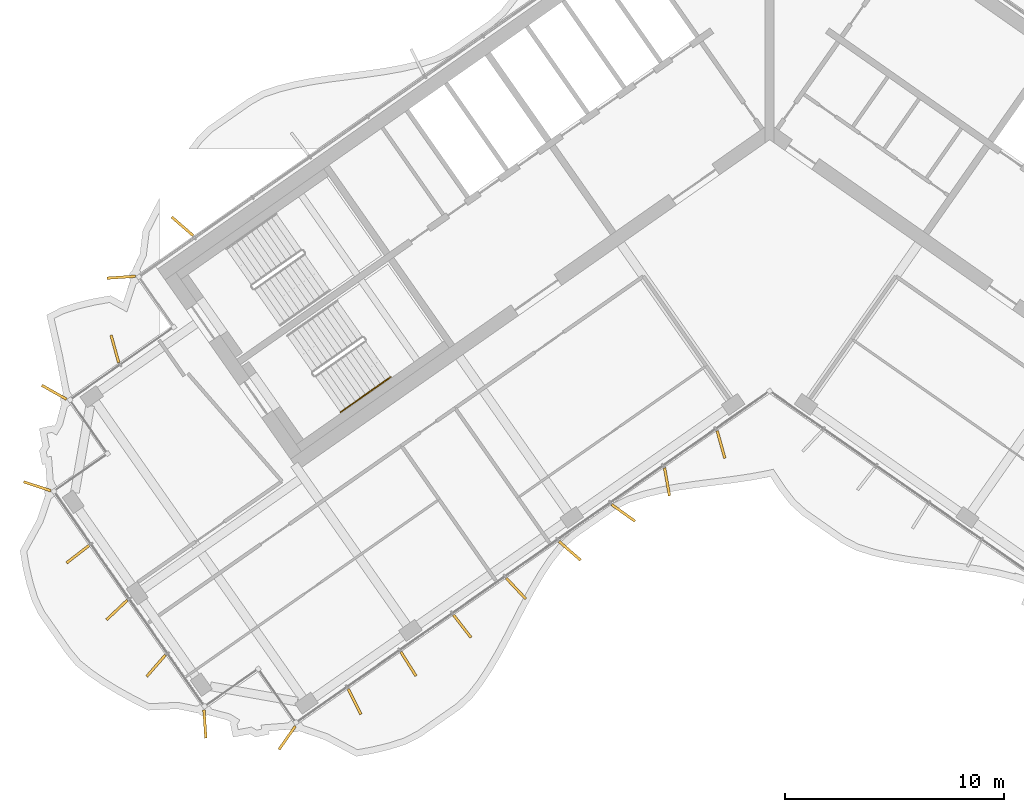
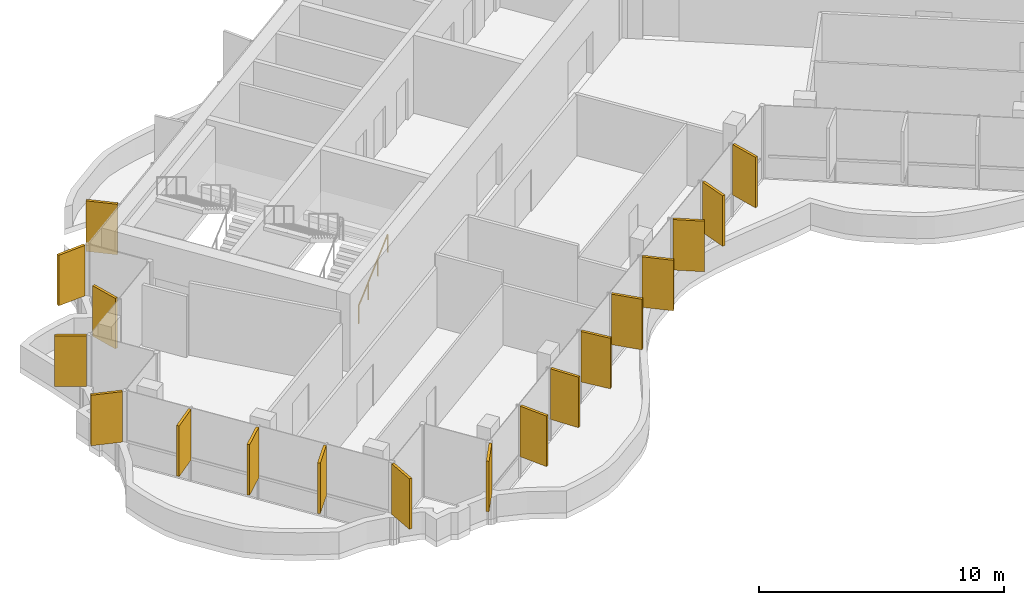
# One storey, part 15 of 20: 18 shading devices, 1 railing.
"""IFC4 building model written with IfcOpenShell, lengths in metres."""

from ifc_helpers import new_model, si_unit, direction, frame, origin, origin_2d, place, context, subcontext, project, spatial, rectangle, circle, extrude, material, layer, layer_set, type_object, element, save


model = new_model("IFC4")

# Units and contexts
model_context = context("Model", 3, precision=1e-05, world=origin(), true_north=direction((0.0, 1.0)))
body_context = subcontext(model_context, "Body", "Model", "MODEL_VIEW")
ifc_project = project(units=[si_unit("LENGTHUNIT", "METRE"), si_unit("AREAUNIT", "SQUARE_METRE"), si_unit("VOLUMEUNIT", "CUBIC_METRE"), si_unit("PLANEANGLEUNIT", "RADIAN"), si_unit("MASSUNIT", "GRAM", prefix="KILO")], contexts=[model_context])

# Site, building, storey
site_placement = place(None, origin())
site = spatial("IfcSite", under=ifc_project, at=site_placement, CompositionType="ELEMENT")
building_placement = place(site_placement, origin())
building = spatial("IfcBuilding", under=site, at=building_placement, Name="Tel Ilan Convention Tower", CompositionType="ELEMENT")
storey_placement = place(building_placement, frame((0.0, 0.0, 248.800048828125)))
storey = spatial("IfcBuildingStorey", under=building, at=storey_placement, Name="L58", CompositionType="ELEMENT", Elevation=248.800048828125)

# Shading devices
ifc_material_1 = material(Name="Aluminium, bronze anodised", Category="aluminium")
ifc_layer = layer(ifc_material_1, 0.1201171875)
ifc_layer_set = layer_set([ifc_layer], Name="FIN BRONZE 1300x120")
shading_device_type = type_object("IfcShadingDeviceType", Name="FIN BRONZE 1300x120", PredefinedType="USERDEFINED", material=ifc_layer_set)
for number, where, z_axis, x_axis, name in (
    (1, (-26.823974609375, -5.177001953125, 1.099853515625), (0.0, 0.0, 1.0), (-0.753435896329, 0.657521368568, 0.0), "FIN"),
    (2, (-29.62109375, -7.500732421875, 1.099853515625), (0.0, 0.0, 1.0), (-0.997697449973, -0.067821812994, 0.0), "FIN"),
    (3, (-29.913818359375, -10.77392578125, 1.099853515625), (0.0, 0.0, 1.0), (-0.268172612768, 0.963370878614, 0.0), "FIN"),
    (4, (-32.689208984375, -12.756591796875, 1.099853515625), (0.0, 0.0, 1.0), (-0.870832754082, 0.491579408049, 0.0), "FIN"),
    (5, (-33.465576171875, -17.0517578125, 1.099853515625), (0.0, 0.0, 1.0), (-0.949242643575, 0.314544756146, 0.0), "FIN"),
    (6, (-31.60693359375, -20.155517578125, 1.099853515625), (0.0, 0.0, 1.0), (-0.790392669516, -0.612600545196, 0.0), "FIN"),
    (7, (-29.8212890625, -22.705078125, 1.099853515625), (0.0, 0.0, 1.0), (-0.727373641577, -0.686241637865, 0.0), "FIN"),
    (8, (-28.03125, -25.25048828125, 1.099853515625), (0.0, 0.0, 1.0), (-0.657521368568, -0.753435896329, 0.0), "FIN"),
    (9, (-25.80126953125, -27.913330078125, 1.099853515625), (0.0, 0.0, 1.0), (0.067821812994, -0.997697449973, 0.0), "FIN"),
    (10, (-22.0419921875, -28.544921875, 1.099853515625), (0.0, 0.0, 1.0), (-0.573576436351, -0.819152044289, 0.0), "FIN"),
    (11, (-18.961181640625, -26.89013671875, 1.099853515625), (0.0, 0.0, 1.0), (0.448799180206, -0.893632640321, 0.0), "FIN"),
    (12, (-16.50244140625, -25.168701171875, 1.099853515625), (0.0, 0.0, 1.0), (0.533204432798, -0.845986425922, 0.0), "FIN"),
    (13, (-14.043701171875, -23.447021484375, 1.099853515625), (0.0, 0.0, 1.0), (0.612600545196, -0.790392669516, 0.0), "FIN"),
    (14, (-11.585205078125, -21.725341796875, 1.099853515625), (0.0, 0.0, 1.0), (0.686241637865, -0.727373641577, 0.0), "FIN"),
    (15, (-9.131103515625, -19.9990234375, 1.099853515625), (0.0, 0.0, 1.0), (0.753435896329, -0.657521368568, 0.0), "FIN"),
    (16, (-6.681640625, -18.2685546875, 1.099853515625), (0.0, 0.0, 1.0), (0.813552070258, -0.581492071294, 0.0), "FIN"),
    (17, (-4.687255859375, -16.849609375, 1.099853515625), (0.0, 0.0, 1.0), (0.173648177667, -0.984807753012, 0.0), "FIN"),
    (18, (-2.2216796875, -15.145751953125, 1.099853515625), (0.0, 0.0, 1.0), (0.268172612768, -0.963370878614, 0.0), "FIN"),
):
    element("IfcShadingDevice", number, at=place(storey_placement, frame(where, z_axis=z_axis, x_axis=x_axis)), inside=storey, type_object=shading_device_type, Name=name, ObjectType="FIN", PredefinedType="USERDEFINED", context=body_context, shape_type="SweptSolid", body=[
        extrude(rectangle(XDim=1.300048828125, YDim=0.1201171875, at=origin_2d()), origin(), (0.0, 0.0, 1.0), 2.52001953125),
    ])

# Railing
ifc_material_2 = material(Name="Stainless Steel Grade 316", Category="steel")
railing_type = type_object("IfcRailingType", Name="Stainless Steel Stair Handrail 900 mm", PredefinedType="HANDRAIL", material=ifc_material_2)
railing_placement = place(storey_placement, frame((-19.6064453125, -13.66748046875, 0.17724609375)))
element("IfcRailing", 19, at=railing_placement, inside=storey, type_object=railing_type, Name="L58 S2 stair handrail 1", PredefinedType="HANDRAIL", context=body_context, shape_type="SweptSolid", body=[
    extrude(circle(Radius=0.02392578125, at=origin_2d()), frame((0.0, 0.0, 0.8759765625), z_axis=(0.692123088272, 0.484596665743, 0.534912798717), x_axis=(-0.573550118428, 0.819170471667, 0.0)), (0.0, 0.0, 1.0), 3.31396484375),
    extrude(circle(Radius=0.02099609375, at=origin_2d()), origin(), (0.0, 0.0, 1.0), 0.851806640625),
    extrude(circle(Radius=0.02099609375, at=origin_2d()), frame((0.7646484375, 0.535400390625, 0.5908203125)), (0.0, 0.0, 1.0), 0.851806640625),
    extrude(circle(Radius=0.02099609375, at=origin_2d()), frame((1.529052734375, 1.070556640625, 1.181884765625)), (0.0, 0.0, 1.0), 0.851806640625),
    extrude(circle(Radius=0.02099609375, at=origin_2d()), frame((2.293701171875, 1.60595703125, 1.772705078125)), (0.0, 0.0, 1.0), 0.851806640625),
])

save(model, "model.ifc")
